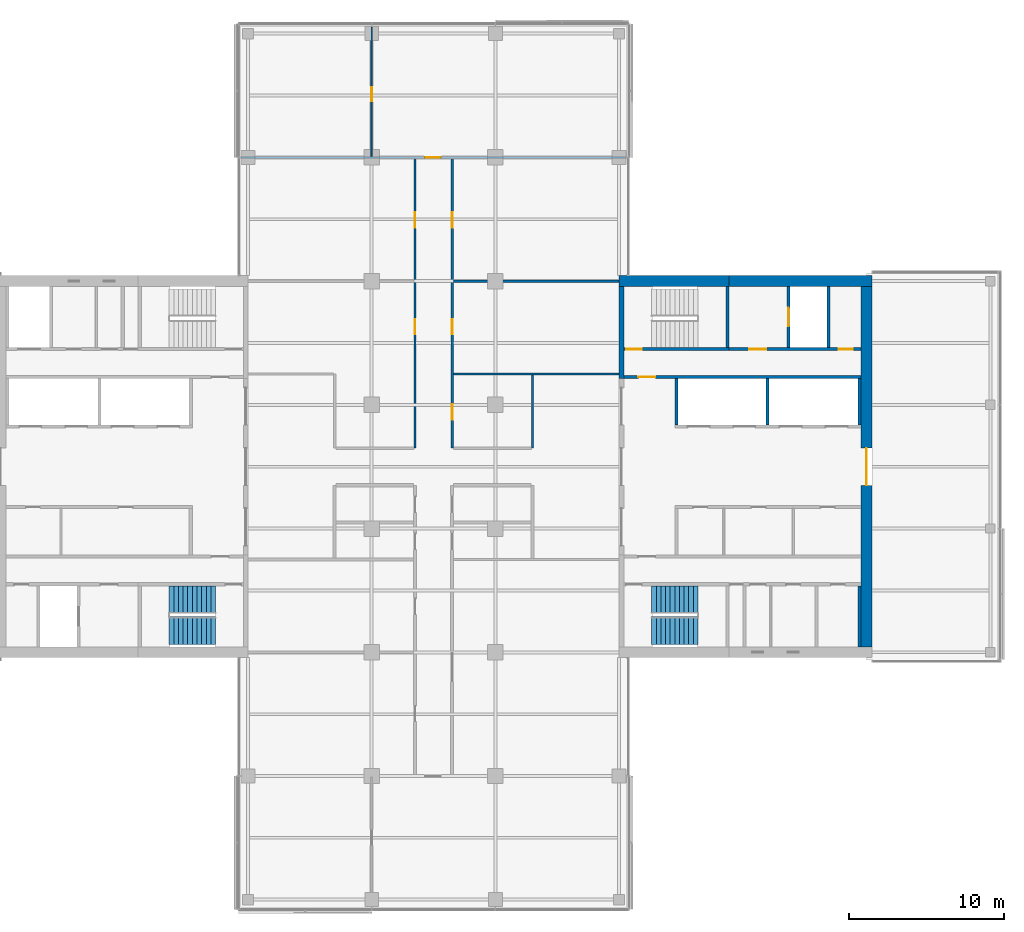
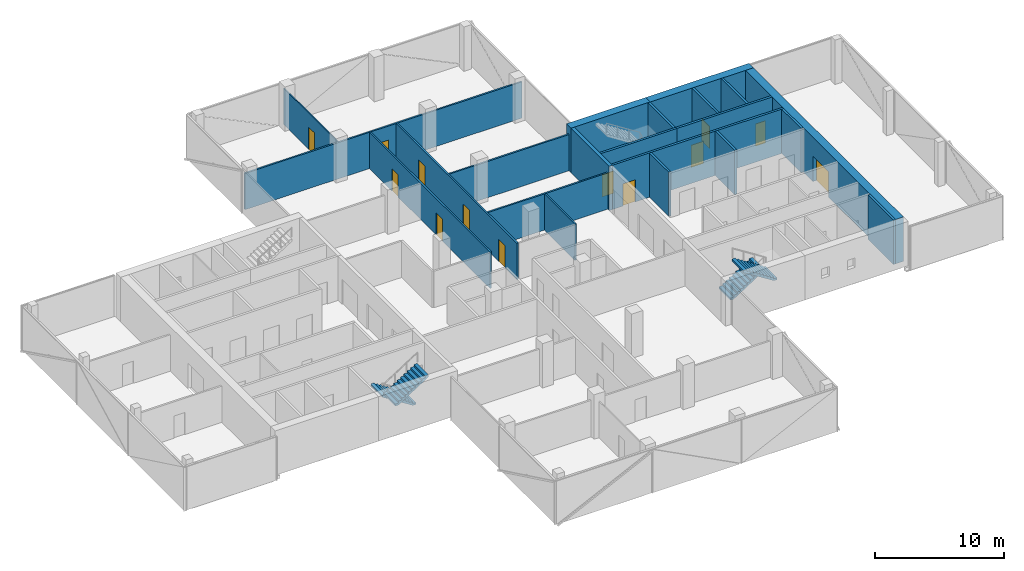
# One storey, part 16 of 22: 21 walls, 13 doors, 4 stair flights, 13 openings, 2 elements without a shape of their own.
"""IFC4 building model written with IfcOpenShell, lengths in metres."""

from ifc_helpers import new_model, si_unit, direction, frame, frame_2d, origin, place, context, subcontext, project, spatial, polyline, rectangle, outline, extrude, material, layer, layer_set, constituent, constituent_set, type_object, element, fill, aggregate, save


model = new_model("IFC4")

# Units and contexts
model_context = context("Model", 3, precision=1e-05, world=origin(), true_north=direction((0.0, 1.0)))
body_context = subcontext(model_context, "Body", "Model", "MODEL_VIEW")
ifc_project = project(units=[si_unit("LENGTHUNIT", "METRE"), si_unit("AREAUNIT", "SQUARE_METRE"), si_unit("VOLUMEUNIT", "CUBIC_METRE"), si_unit("PLANEANGLEUNIT", "RADIAN"), si_unit("MASSUNIT", "GRAM", prefix="KILO")], contexts=[model_context])

# Site, building, storey
site_placement = place(None, origin())
site = spatial("IfcSite", under=ifc_project, at=site_placement, CompositionType="ELEMENT")
building_placement = place(site_placement, origin())
building = spatial("IfcBuilding", under=site, at=building_placement, Name="Crosswind Convention Tower", CompositionType="ELEMENT")
storey_placement = place(building_placement, frame((0.0, 0.0, 154.699951171875)))
storey = spatial("IfcBuildingStorey", under=building, at=storey_placement, Name="L32", CompositionType="ELEMENT", Elevation=154.699951171875)

# Wall, opening, door
ifc_material_1 = material(Name="Concrete C60/75", Category="concrete")
ifc_layer_1 = layer(ifc_material_1, 0.699951171875)
ifc_layer_set_1 = layer_set([ifc_layer_1], Name="Concrete C60/75")
wall_type_1 = type_object("IfcWallType", Name="Concrete core wall 700", PredefinedType="SHEAR", material=ifc_layer_set_1)
wall_1_placement = place(storey_placement, frame((153.0, 88.35009765625, 0.0), z_axis=(0.0, 0.0, 1.0), x_axis=(0.0, 1.0, 0.0)))
wall_1 = element("IfcWall", 1, at=wall_1_placement, inside=storey, type_object=wall_type_1, Name="Wall O E L32", PredefinedType="SHEAR", context=body_context, shape_type="SweptSolid", body=[
    extrude(rectangle(XDim=23.2998046875, YDim=0.699951171875, at=frame_2d((11.64990234375, 0.0))), origin(), (0.0, 0.0, 1.0), 4.199951171875),
])
opening_1_placement = place(wall_1_placement, frame((10.449951171875, 0.0, 0.0)))
opening_1 = element("IfcOpeningElement", 2, at=opening_1_placement, cuts=wall_1, Name="Opening D100", PredefinedType="OPENING", context=body_context, shape_type="SweptSolid", body=[
    extrude(rectangle(XDim=2.39990234375, YDim=2.39990234375, at=frame_2d((1.199951171875, 1.199951171875))), frame((0.0, 0.35986328125, 0.0), z_axis=(0.0, -1.0, 0.0), x_axis=(1.0, 0.0, 0.0)), (0.0, 0.0, 1.0), 0.719970703125),
])
ifc_material_2 = material(Name="Steel fire door with glazed vision panels", Category="steel")
door_type_1 = type_object("IfcDoorType", Name="Fire-rated double door 2400x2400", OperationType="DOUBLE_DOOR_SINGLE_SWING", PredefinedType="DOOR", material=ifc_material_2)
door_1_placement = place(opening_1_placement, frame((2.39990234375, 0.0, 0.0), z_axis=(0.0, 0.0, 1.0), x_axis=(-1.0, 0.0, 0.0)))
door_1 = element("IfcDoor", 3, at=door_1_placement, inside=storey, type_object=door_type_1, Name="Lobby outer door L32", ObjectType="D100", OperationType="DOUBLE_DOOR_SINGLE_SWING", OverallHeight=2.39990234375, OverallWidth=2.39990234375, PredefinedType="DOOR", context=body_context, shape_type="SweptSolid", body=[
    extrude(rectangle(XDim=2.39990234375, YDim=2.39990234375, at=frame_2d((1.199951171875, 1.199951171875))), frame((0.0, 0.02490234375, 0.0), z_axis=(0.0, -1.0, 0.0), x_axis=(1.0, 0.0, 0.0)), (0.0, 0.0, 1.0), 0.050048828125),
])
fill(opening_1, door_1)

# Walls
ifc_material_3 = material(Name="Concrete C50/60", Category="concrete")
ifc_layer_2 = layer(ifc_material_3, 0.300048828125)
ifc_layer_set_2 = layer_set([ifc_layer_2], Name="Concrete C50/60")
wall_type_2 = type_object("IfcWallType", Name="Concrete inner core wall 300", PredefinedType="SHEAR", material=ifc_layer_set_2)
wall_2_placement = place(storey_placement, frame((137.14990234375, 105.699951171875, 0.0), z_axis=(0.0, 0.0, 1.0), x_axis=(0.0, 1.0, 0.0)))
element("IfcWall", 4, at=wall_2_placement, inside=storey, type_object=wall_type_2, Name="Wall EP E L32", PredefinedType="SHEAR", context=body_context, shape_type="SweptSolid", body=[
    extrude(rectangle(XDim=5.949951171875, YDim=0.300048828125, at=frame_2d((2.97509765625, 0.0))), origin(), (0.0, 0.0, 1.0), 4.199951171875),
])
ifc_layer_3 = layer(ifc_material_3, 0.199951171875)
ifc_layer_set_3 = layer_set([ifc_layer_3], Name="Concrete C50/60")
wall_type_3 = type_object("IfcWallType", Name="Concrete shaft and stair wall 200", PredefinedType="SHEAR", material=ifc_layer_set_3)
for number, where, z_axis, x_axis, name in (
    (5, (140.699951171875, 102.699951171875, 0.0), (0.0, 0.0, 1.0), (0.0, 1.0, 0.0), "Wall RPEND E L32"),
    (6, (146.60009765625, 102.699951171875, 0.0), (0.0, 0.0, 1.0), (0.0, 1.0, 0.0), "Wall RPSEP E L32"),
    (7, (152.550048828125, 102.699951171875, 0.0), (0.0, 0.0, 1.0), (0.0, 1.0, 0.0), "Wall RPEAST E L32"),
):
    element("IfcWall", number, at=place(storey_placement, frame(where, z_axis=z_axis, x_axis=x_axis)), inside=storey, type_object=wall_type_3, Name=name, PredefinedType="SHEAR", context=body_context, shape_type="SweptSolid", body=[
        extrude(rectangle(XDim=3.0, YDim=0.199951171875, at=frame_2d((1.5, 0.0))), origin(), (0.0, 0.0, 1.0), 4.199951171875),
    ])

# Wall, opening, door
wall_3_placement = place(storey_placement, frame((137.300048828125, 105.800048828125, 0.0), z_axis=(0.0, 0.0, 1.0), x_axis=(1.0, 0.0, 0.0)))
wall_3 = element("IfcWall", 8, at=wall_3_placement, inside=storey, type_object=wall_type_3, Name="Wall HP E L32", PredefinedType="SHEAR", context=body_context, shape_type="SweptSolid", body=[
    extrude(rectangle(XDim=15.349853515625, YDim=0.199951171875, at=frame_2d((7.6748046875, 0.0))), origin(), (0.0, 0.0, 1.0), 4.199951171875),
])
opening_2_placement = place(wall_3_placement, frame((0.949951171875, 0.0, 0.0)))
opening_2 = element("IfcOpeningElement", 9, at=opening_2_placement, cuts=wall_3, Name="Opening D104", PredefinedType="OPENING", context=body_context, shape_type="SweptSolid", body=[
    extrude(rectangle(XDim=1.10009765625, YDim=2.10009765625, at=frame_2d((0.550048828125, 1.050048828125))), frame((0.0, 0.10986328125, 0.0), z_axis=(0.0, -1.0, 0.0), x_axis=(1.0, 0.0, 0.0)), (0.0, 0.0, 1.0), 0.219970703125),
])
ifc_material_4 = material(Name="Steel fire door", Category="steel")
door_type_2 = type_object("IfcDoorType", Name="Fire-rated single door 1100x2100", OperationType="NOTDEFINED", PredefinedType="DOOR", material=ifc_material_4)
door_2_placement = place(opening_2_placement, origin())
door_2 = element("IfcDoor", 10, at=door_2_placement, inside=storey, type_object=door_type_2, Name="Corridor door L32", ObjectType="D104", OperationType="SINGLE_SWING_LEFT", OverallHeight=2.10009765625, OverallWidth=1.10009765625, PredefinedType="DOOR", context=body_context, shape_type="SweptSolid", body=[
    extrude(rectangle(XDim=1.10009765625, YDim=2.10009765625, at=frame_2d((0.550048828125, 1.050048828125))), frame((0.0, 0.02490234375, 0.0), z_axis=(0.0, -1.0, 0.0), x_axis=(1.0, 0.0, 0.0)), (0.0, 0.0, 1.0), 0.050048828125),
])
fill(opening_2, door_2)

# Wall
wall_4_placement = place(storey_placement, frame((144.0, 107.699951171875, 0.0), z_axis=(0.0, 0.0, 1.0), x_axis=(0.0, 1.0, 0.0)))
element("IfcWall", 11, at=wall_4_placement, inside=storey, type_object=wall_type_3, Name="Wall PSE E L32", PredefinedType="SHEAR", context=body_context, shape_type="SweptSolid", body=[
    extrude(rectangle(XDim=3.949951171875, YDim=0.199951171875, at=frame_2d((1.97509765625, 0.0))), origin(), (0.0, 0.0, 1.0), 4.199951171875),
])

# Wall, opening, door
wall_5_placement = place(storey_placement, frame((147.949951171875, 107.699951171875, 0.0), z_axis=(0.0, 0.0, 1.0), x_axis=(0.0, 1.0, 0.0)))
wall_5 = element("IfcWall", 12, at=wall_5_placement, inside=storey, type_object=wall_type_3, Name="Wall PFLW E L32", PredefinedType="SHEAR", context=body_context, shape_type="SweptSolid", body=[
    extrude(rectangle(XDim=3.949951171875, YDim=0.199951171875, at=frame_2d((1.97509765625, 0.0))), origin(), (0.0, 0.0, 1.0), 4.199951171875),
])
opening_3_placement = place(wall_5_placement, frame((1.375, 0.0, 0.0)))
opening_3 = element("IfcOpeningElement", 13, at=opening_3_placement, cuts=wall_5, Name="Opening LD1", PredefinedType="OPENING", context=body_context, shape_type="SweptSolid", body=[
    extrude(rectangle(XDim=1.199951171875, YDim=2.10009765625, at=frame_2d((0.60009765625, 1.050048828125))), frame((0.0, 0.10986328125, 0.0), z_axis=(0.0, -1.0, 0.0), x_axis=(1.0, 0.0, 0.0)), (0.0, 0.0, 1.0), 0.219970703125),
])
ifc_material_5 = material(Name="Stainless steel", Category="steel")
door_type_3 = type_object("IfcDoorType", Name="Lift landing door 1200x2100", OperationType="DOUBLE_DOOR_SLIDING", PredefinedType="DOOR", material=ifc_material_5)
door_3_placement = place(opening_3_placement, origin())
door_3 = element("IfcDoor", 14, at=door_3_placement, inside=storey, type_object=door_type_3, Name="Landing door FF1 L32", ObjectType="LD1", OperationType="DOUBLE_DOOR_SLIDING", OverallHeight=2.10009765625, OverallWidth=1.199951171875, PredefinedType="DOOR", context=body_context, shape_type="SweptSolid", body=[
    extrude(rectangle(XDim=1.199951171875, YDim=2.10009765625, at=frame_2d((0.60009765625, 1.050048828125))), frame((0.0, 0.02490234375, 0.0), z_axis=(0.0, -1.0, 0.0), x_axis=(1.0, 0.0, 0.0)), (0.0, 0.0, 1.0), 0.050048828125),
])
fill(opening_3, door_3)

# Wall
wall_6_placement = place(storey_placement, frame((150.550048828125, 107.699951171875, 0.0), z_axis=(0.0, 0.0, 1.0), x_axis=(0.0, 1.0, 0.0)))
element("IfcWall", 15, at=wall_6_placement, inside=storey, type_object=wall_type_3, Name="Wall PFSE E L32", PredefinedType="SHEAR", context=body_context, shape_type="SweptSolid", body=[
    extrude(rectangle(XDim=3.949951171875, YDim=0.199951171875, at=frame_2d((1.97509765625, 0.0))), origin(), (0.0, 0.0, 1.0), 4.199951171875),
])

# Wall, opening, door
wall_7_placement = place(storey_placement, frame((137.300048828125, 107.60009765625, 0.0), z_axis=(0.0, 0.0, 1.0), x_axis=(1.0, 0.0, 0.0)))
wall_7 = element("IfcWall", 16, at=wall_7_placement, inside=storey, type_object=wall_type_3, Name="Wall PCW E L32", PredefinedType="SHEAR", context=body_context, shape_type="SweptSolid", body=[
    extrude(rectangle(XDim=6.800048828125, YDim=0.199951171875, at=frame_2d((3.39990234375, 0.0))), origin(), (0.0, 0.0, 1.0), 4.199951171875),
])
opening_4_placement = place(wall_7_placement, frame((0.14990234375, 0.0, 0.0)))
opening_4 = element("IfcOpeningElement", 17, at=opening_4_placement, cuts=wall_7, Name="Opening D103", PredefinedType="OPENING", context=body_context, shape_type="SweptSolid", body=[
    extrude(rectangle(XDim=1.0, YDim=2.10009765625, at=frame_2d((0.5, 1.050048828125))), frame((0.0, 0.10986328125, 0.0), z_axis=(0.0, -1.0, 0.0), x_axis=(1.0, 0.0, 0.0)), (0.0, 0.0, 1.0), 0.219970703125),
])
door_type_4 = type_object("IfcDoorType", Name="Fire-rated single door 1000x2100", OperationType="NOTDEFINED", PredefinedType="DOOR", material=ifc_material_4)
door_4_placement = place(opening_4_placement, origin())
door_4 = element("IfcDoor", 18, at=door_4_placement, inside=storey, type_object=door_type_4, Name="Stair ST1 door L32", ObjectType="D103", OperationType="SINGLE_SWING_LEFT", OverallHeight=2.10009765625, OverallWidth=1.0, PredefinedType="DOOR", context=body_context, shape_type="SweptSolid", body=[
    extrude(rectangle(XDim=1.0, YDim=2.10009765625, at=frame_2d((0.5, 1.050048828125))), frame((0.0, 0.02490234375, 0.0), z_axis=(0.0, -1.0, 0.0), x_axis=(1.0, 0.0, 0.0)), (0.0, 0.0, 1.0), 0.050048828125),
])
fill(opening_4, door_4)

# Wall, openings, doors
wall_8_placement = place(storey_placement, frame((144.10009765625, 107.60009765625, 0.0), z_axis=(0.0, 0.0, 1.0), x_axis=(1.0, 0.0, 0.0)))
wall_8 = element("IfcWall", 19, at=wall_8_placement, inside=storey, type_object=wall_type_3, Name="Wall PCX E L32", PredefinedType="SHEAR", context=body_context, shape_type="SweptSolid", body=[
    extrude(rectangle(XDim=8.5498046875, YDim=0.199951171875, at=frame_2d((4.27490234375, 0.0))), origin(), (0.0, 0.0, 1.0), 4.199951171875),
])
opening_5_placement = place(wall_8_placement, frame((1.324951171875, 0.0, 0.0)))
opening_5 = element("IfcOpeningElement", 20, at=opening_5_placement, cuts=wall_8, Name="Opening D104", PredefinedType="OPENING", context=body_context, shape_type="SweptSolid", body=[
    extrude(rectangle(XDim=1.10009765625, YDim=2.10009765625, at=frame_2d((0.550048828125, 1.050048828125))), frame((0.0, 0.10986328125, 0.0), z_axis=(0.0, -1.0, 0.0), x_axis=(1.0, 0.0, 0.0)), (0.0, 0.0, 1.0), 0.219970703125),
])
opening_6_placement = place(wall_8_placement, frame((7.10009765625, 0.0, 0.0)))
opening_6 = element("IfcOpeningElement", 21, at=opening_6_placement, cuts=wall_8, Name="Opening D106", PredefinedType="OPENING", context=body_context, shape_type="SweptSolid", body=[
    extrude(rectangle(XDim=0.89990234375, YDim=2.10009765625, at=frame_2d((0.449951171875, 1.050048828125))), frame((0.0, 0.10986328125, 0.0), z_axis=(0.0, -1.0, 0.0), x_axis=(1.0, 0.0, 0.0)), (0.0, 0.0, 1.0), 0.219970703125),
])
door_5_placement = place(opening_5_placement, origin())
door_5 = element("IfcDoor", 22, at=door_5_placement, inside=storey, type_object=door_type_2, Name="Fire-fighting lobby FF1 door L32", ObjectType="D104", OperationType="SINGLE_SWING_RIGHT", OverallHeight=2.10009765625, OverallWidth=1.10009765625, PredefinedType="DOOR", context=body_context, shape_type="SweptSolid", body=[
    extrude(rectangle(XDim=1.10009765625, YDim=2.10009765625, at=frame_2d((0.550048828125, 1.050048828125))), frame((0.0, 0.02490234375, 0.0), z_axis=(0.0, -1.0, 0.0), x_axis=(1.0, 0.0, 0.0)), (0.0, 0.0, 1.0), 0.050048828125),
])
fill(opening_5, door_5)
ifc_material_6 = material(Name="Timber door", Category="wood")
door_type_5 = type_object("IfcDoorType", Name="Single leaf door 900x2100", OperationType="NOTDEFINED", PredefinedType="DOOR", material=ifc_material_6)
door_6_placement = place(opening_6_placement, origin())
door_6 = element("IfcDoor", 23, at=door_6_placement, inside=storey, type_object=door_type_5, Name="Door to comms room L32", ObjectType="D106", OperationType="SINGLE_SWING_RIGHT", OverallHeight=2.10009765625, OverallWidth=0.89990234375, PredefinedType="DOOR", context=body_context, shape_type="SweptSolid", body=[
    extrude(rectangle(XDim=0.89990234375, YDim=2.10009765625, at=frame_2d((0.449951171875, 1.050048828125))), frame((0.0, 0.02490234375, 0.0), z_axis=(0.0, -1.0, 0.0), x_axis=(1.0, 0.0, 0.0)), (0.0, 0.0, 1.0), 0.050048828125),
])
fill(opening_6, door_6)

# Wall
wall_9_placement = place(storey_placement, frame((152.550048828125, 88.35009765625, 0.0), z_axis=(0.0, 0.0, 1.0), x_axis=(0.0, 1.0, 0.0)))
element("IfcWall", 24, at=wall_9_placement, inside=storey, type_object=wall_type_3, Name="Wall MFSE E L32", PredefinedType="SHEAR", context=body_context, shape_type="SweptSolid", body=[
    extrude(rectangle(XDim=3.949951171875, YDim=0.199951171875, at=frame_2d((1.97509765625, 0.0))), origin(), (0.0, 0.0, 1.0), 4.199951171875),
])

# Wall, opening, door
ifc_material_7 = material(Name="Plasterboard partition", Category="gypsum")
ifc_layer_4 = layer(ifc_material_7, 0.10009765625)
ifc_layer_set_4 = layer_set([ifc_layer_4], Name="PARTITION 100 METAL STUD")
wall_type_4 = type_object("IfcWallType", Name="PARTITION 100 METAL STUD", PredefinedType="PARTITIONING", material=ifc_layer_set_4)
wall_10_placement = place(storey_placement, frame((121.0, 120.074951171875, 0.0), z_axis=(0.0, 0.0, 1.0), x_axis=(0.0, 1.0, 0.0)))
wall_10 = element("IfcWall", 25, at=wall_10_placement, inside=storey, type_object=wall_type_4, Name="Partition wall WT40", PredefinedType="PARTITIONING", context=body_context, shape_type="SweptSolid", body=[
    extrude(rectangle(XDim=8.344970703125, YDim=0.10009765625, at=frame_2d((4.17236328125, 0.0))), origin(), (0.0, 0.0, 1.0), 3.4365234375),
])
opening_7_placement = place(wall_10_placement, frame((3.550048828125, 0.0, 0.0)))
opening_7 = element("IfcOpeningElement", 26, at=opening_7_placement, cuts=wall_10, Name="Opening L32-63", PredefinedType="OPENING", context=body_context, shape_type="SweptSolid", body=[
    extrude(rectangle(XDim=0.89990234375, YDim=2.10009765625, at=frame_2d((0.449951171875, 1.050048828125))), frame((0.0, 0.06005859375, 0.0), z_axis=(0.0, -1.0, 0.0), x_axis=(1.0, 0.0, 0.0)), (0.0, 0.0, 1.0), 0.1201171875),
])
door_type_6 = type_object("IfcDoorType", Name="INTERNAL DOOR 900X2100", OperationType="NOTDEFINED", PredefinedType="DOOR", material=ifc_material_6)
door_7_placement = place(opening_7_placement, origin())
door_7 = element("IfcDoor", 27, at=door_7_placement, inside=storey, type_object=door_type_6, Name="Door L32-63", ObjectType="D40", OperationType="SINGLE_SWING_RIGHT", OverallHeight=2.10009765625, OverallWidth=0.89990234375, PredefinedType="DOOR", context=body_context, shape_type="SweptSolid", body=[
    extrude(rectangle(XDim=0.89990234375, YDim=2.10009765625, at=frame_2d((0.449951171875, 1.050048828125))), frame((0.0, 0.02490234375, 0.0), z_axis=(0.0, -1.0, 0.0), x_axis=(1.0, 0.0, 0.0)), (0.0, 0.0, 1.0), 0.050048828125),
])
fill(opening_7, door_7)

# Wall, openings, doors
ifc_material_8 = material(Name="Fire-board partition with mineral wool", Category="gypsum")
ifc_layer_5 = layer(ifc_material_8, 0.14990234375)
ifc_layer_set_5 = layer_set([ifc_layer_5], Name="TENANCY WALL 150 TWO-HOUR BOARD")
wall_type_5 = type_object("IfcWallType", Name="TENANCY WALL 150 TWO-HOUR BOARD", PredefinedType="PARTITIONING", material=ifc_layer_set_5)
wall_11_placement = place(storey_placement, frame((123.800048828125, 101.199951171875, 0.0), z_axis=(0.0, 0.0, 1.0), x_axis=(0.0, 1.0, 0.0)))
wall_11 = element("IfcWall", 28, at=wall_11_placement, inside=storey, type_object=wall_type_5, Name="Tenancy wall WT41", PredefinedType="PARTITIONING", context=body_context, shape_type="SweptSolid", body=[
    extrude(rectangle(XDim=18.72509765625, YDim=0.14990234375, at=frame_2d((9.362548828125, 0.0))), origin(), (0.0, 0.0, 1.0), 3.4365234375),
])
opening_8_placement = place(wall_11_placement, frame((7.35009765625, 0.0, 0.0)))
opening_8 = element("IfcOpeningElement", 29, at=opening_8_placement, cuts=wall_11, Name="Opening L32-56", PredefinedType="OPENING", context=body_context, shape_type="SweptSolid", body=[
    extrude(rectangle(XDim=1.0, YDim=2.10009765625, at=frame_2d((0.5, 1.050048828125))), frame((0.0, 0.0849609375, 0.0), z_axis=(0.0, -1.0, 0.0), x_axis=(1.0, 0.0, 0.0)), (0.0, 0.0, 1.0), 0.169921875),
])
opening_9_placement = place(wall_11_placement, frame((14.25, 0.0, 0.0)))
opening_9 = element("IfcOpeningElement", 30, at=opening_9_placement, cuts=wall_11, Name="Opening L32-57", PredefinedType="OPENING", context=body_context, shape_type="SweptSolid", body=[
    extrude(rectangle(XDim=1.0, YDim=2.10009765625, at=frame_2d((0.5, 1.050048828125))), frame((0.0, 0.0849609375, 0.0), z_axis=(0.0, -1.0, 0.0), x_axis=(1.0, 0.0, 0.0)), (0.0, 0.0, 1.0), 0.169921875),
])
ifc_material_9 = material(Name="Timber fire door", Category="wood")
door_type_7 = type_object("IfcDoorType", Name="TENANCY ENTRANCE DOOR 1000X2100 FD30S", OperationType="NOTDEFINED", PredefinedType="DOOR", material=ifc_material_9)
door_8_placement = place(opening_8_placement, origin())
door_8 = element("IfcDoor", 31, at=door_8_placement, inside=storey, type_object=door_type_7, Name="Door L32-56", ObjectType="D41", OperationType="SINGLE_SWING_RIGHT", OverallHeight=2.10009765625, OverallWidth=1.0, PredefinedType="DOOR", context=body_context, shape_type="SweptSolid", body=[
    extrude(rectangle(XDim=1.0, YDim=2.10009765625, at=frame_2d((0.5, 1.050048828125))), frame((0.0, 0.02490234375, 0.0), z_axis=(0.0, -1.0, 0.0), x_axis=(1.0, 0.0, 0.0)), (0.0, 0.0, 1.0), 0.050048828125),
])
fill(opening_8, door_8)
door_9_placement = place(opening_9_placement, origin())
door_9 = element("IfcDoor", 32, at=door_9_placement, inside=storey, type_object=door_type_7, Name="Door L32-57", ObjectType="D41", OperationType="SINGLE_SWING_LEFT", OverallHeight=2.10009765625, OverallWidth=1.0, PredefinedType="DOOR", context=body_context, shape_type="SweptSolid", body=[
    extrude(rectangle(XDim=1.0, YDim=2.10009765625, at=frame_2d((0.5, 1.050048828125))), frame((0.0, 0.02490234375, 0.0), z_axis=(0.0, -1.0, 0.0), x_axis=(1.0, 0.0, 0.0)), (0.0, 0.0, 1.0), 0.050048828125),
])
fill(opening_9, door_9)

wall_12_placement = place(storey_placement, frame((126.199951171875, 101.199951171875, 0.0), z_axis=(0.0, 0.0, 1.0), x_axis=(0.0, 1.0, 0.0)))
wall_12 = element("IfcWall", 33, at=wall_12_placement, inside=storey, type_object=wall_type_5, Name="Tenancy wall WT41", PredefinedType="PARTITIONING", context=body_context, shape_type="SweptSolid", body=[
    extrude(rectangle(XDim=18.72509765625, YDim=0.14990234375, at=frame_2d((9.362548828125, 0.0))), origin(), (0.0, 0.0, 1.0), 3.4365234375),
])
opening_10_placement = place(wall_12_placement, frame((1.85009765625, 0.0, 0.0)))
opening_10 = element("IfcOpeningElement", 34, at=opening_10_placement, cuts=wall_12, Name="Opening L32-50", PredefinedType="OPENING", context=body_context, shape_type="SweptSolid", body=[
    extrude(rectangle(XDim=1.0, YDim=2.10009765625, at=frame_2d((0.5, 1.050048828125))), frame((0.0, 0.0849609375, 0.0), z_axis=(0.0, -1.0, 0.0), x_axis=(1.0, 0.0, 0.0)), (0.0, 0.0, 1.0), 0.169921875),
])
opening_11_placement = place(wall_12_placement, frame((7.35009765625, 0.0, 0.0)))
opening_11 = element("IfcOpeningElement", 35, at=opening_11_placement, cuts=wall_12, Name="Opening L32-51", PredefinedType="OPENING", context=body_context, shape_type="SweptSolid", body=[
    extrude(rectangle(XDim=1.0, YDim=2.10009765625, at=frame_2d((0.5, 1.050048828125))), frame((0.0, 0.0849609375, 0.0), z_axis=(0.0, -1.0, 0.0), x_axis=(1.0, 0.0, 0.0)), (0.0, 0.0, 1.0), 0.169921875),
])
opening_12_placement = place(wall_12_placement, frame((14.25, 0.0, 0.0)))
opening_12 = element("IfcOpeningElement", 36, at=opening_12_placement, cuts=wall_12, Name="Opening L32-52", PredefinedType="OPENING", context=body_context, shape_type="SweptSolid", body=[
    extrude(rectangle(XDim=1.0, YDim=2.10009765625, at=frame_2d((0.5, 1.050048828125))), frame((0.0, 0.0849609375, 0.0), z_axis=(0.0, -1.0, 0.0), x_axis=(1.0, 0.0, 0.0)), (0.0, 0.0, 1.0), 0.169921875),
])
door_10_placement = place(opening_10_placement, frame((1.0, 0.0, 0.0), z_axis=(0.0, 0.0, 1.0), x_axis=(-1.0, 0.0, 0.0)))
door_10 = element("IfcDoor", 37, at=door_10_placement, inside=storey, type_object=door_type_7, Name="Door L32-50", ObjectType="D41", OperationType="SINGLE_SWING_RIGHT", OverallHeight=2.10009765625, OverallWidth=1.0, PredefinedType="DOOR", context=body_context, shape_type="SweptSolid", body=[
    extrude(rectangle(XDim=1.0, YDim=2.10009765625, at=frame_2d((0.5, 1.050048828125))), frame((0.0, 0.02490234375, 0.0), z_axis=(0.0, -1.0, 0.0), x_axis=(1.0, 0.0, 0.0)), (0.0, 0.0, 1.0), 0.050048828125),
])
fill(opening_10, door_10)
door_11_placement = place(opening_11_placement, frame((1.0, 0.0, 0.0), z_axis=(0.0, 0.0, 1.0), x_axis=(-1.0, 0.0, 0.0)))
door_11 = element("IfcDoor", 38, at=door_11_placement, inside=storey, type_object=door_type_7, Name="Door L32-51", ObjectType="D41", OperationType="SINGLE_SWING_LEFT", OverallHeight=2.10009765625, OverallWidth=1.0, PredefinedType="DOOR", context=body_context, shape_type="SweptSolid", body=[
    extrude(rectangle(XDim=1.0, YDim=2.10009765625, at=frame_2d((0.5, 1.050048828125))), frame((0.0, 0.02490234375, 0.0), z_axis=(0.0, -1.0, 0.0), x_axis=(1.0, 0.0, 0.0)), (0.0, 0.0, 1.0), 0.050048828125),
])
fill(opening_11, door_11)
door_12_placement = place(opening_12_placement, frame((1.0, 0.0, 0.0), z_axis=(0.0, 0.0, 1.0), x_axis=(-1.0, 0.0, 0.0)))
door_12 = element("IfcDoor", 39, at=door_12_placement, inside=storey, type_object=door_type_7, Name="Door L32-52", ObjectType="D41", OperationType="SINGLE_SWING_RIGHT", OverallHeight=2.10009765625, OverallWidth=1.0, PredefinedType="DOOR", context=body_context, shape_type="SweptSolid", body=[
    extrude(rectangle(XDim=1.0, YDim=2.10009765625, at=frame_2d((0.5, 1.050048828125))), frame((0.0, 0.02490234375, 0.0), z_axis=(0.0, -1.0, 0.0), x_axis=(1.0, 0.0, 0.0)), (0.0, 0.0, 1.0), 0.050048828125),
])
fill(opening_12, door_12)

# Walls
wall_13_placement = place(storey_placement, frame((131.39990234375, 101.199951171875, 0.0), z_axis=(0.0, 0.0, 1.0), x_axis=(0.0, 1.0, 0.0)))
element("IfcWall", 40, at=wall_13_placement, inside=storey, type_object=wall_type_5, Name="Tenancy wall WT41", PredefinedType="PARTITIONING", context=body_context, shape_type="SweptSolid", body=[
    extrude(rectangle(XDim=4.72509765625, YDim=0.14990234375, at=frame_2d((2.362548828125, 0.0))), origin(), (0.0, 0.0, 1.0), 3.4365234375),
])
for number, where, z_axis, x_axis, name in (
    (41, (126.27490234375, 106.0, 0.0), (0.0, 0.0, 1.0), (1.0, 0.0, 0.0), "Tenancy wall WT41"),
    (42, (126.27490234375, 112.0, 0.0), (0.0, 0.0, 1.0), (1.0, 0.0, 0.0), "Tenancy wall WT41"),
):
    element("IfcWall", number, at=place(storey_placement, frame(where, z_axis=z_axis, x_axis=x_axis)), inside=storey, type_object=wall_type_5, Name=name, PredefinedType="PARTITIONING", context=body_context, shape_type="SweptSolid", body=[
        extrude(rectangle(XDim=10.72509765625, YDim=0.14990234375, at=frame_2d((5.362548828125, 0.0))), origin(), (0.0, 0.0, 1.0), 3.4365234375),
    ])

# Wall, opening, door
wall_14_placement = place(storey_placement, frame((112.580078125, 120.0, 0.0), z_axis=(0.0, 0.0, 1.0), x_axis=(1.0, 0.0, 0.0)))
wall_14 = element("IfcWall", 43, at=wall_14_placement, inside=storey, type_object=wall_type_5, Name="Tenancy wall WT41", PredefinedType="PARTITIONING", context=body_context, shape_type="SweptSolid", body=[
    extrude(rectangle(XDim=24.83984375, YDim=0.14990234375, at=frame_2d((12.419921875, 0.0))), origin(), (0.0, 0.0, 1.0), 3.4365234375),
])
opening_13_placement = place(wall_14_placement, frame((11.8701171875, 0.0, 0.0)))
opening_13 = element("IfcOpeningElement", 44, at=opening_13_placement, cuts=wall_14, Name="Opening L32-62", PredefinedType="OPENING", context=body_context, shape_type="SweptSolid", body=[
    extrude(rectangle(XDim=1.0, YDim=2.10009765625, at=frame_2d((0.5, 1.050048828125))), frame((0.0, 0.0849609375, 0.0), z_axis=(0.0, -1.0, 0.0), x_axis=(1.0, 0.0, 0.0)), (0.0, 0.0, 1.0), 0.169921875),
])
door_13_placement = place(opening_13_placement, origin())
door_13 = element("IfcDoor", 45, at=door_13_placement, inside=storey, type_object=door_type_7, Name="Door L32-62", ObjectType="D41", OperationType="SINGLE_SWING_LEFT", OverallHeight=2.10009765625, OverallWidth=1.0, PredefinedType="DOOR", context=body_context, shape_type="SweptSolid", body=[
    extrude(rectangle(XDim=1.0, YDim=2.10009765625, at=frame_2d((0.5, 1.050048828125))), frame((0.0, 0.02490234375, 0.0), z_axis=(0.0, -1.0, 0.0), x_axis=(1.0, 0.0, 0.0)), (0.0, 0.0, 1.0), 0.050048828125),
])
fill(opening_13, door_13)

# Walls
ifc_constituent_1 = constituent(ifc_material_1, Name="Structure")
ifc_material_10 = material(Name="Terracotta rainscreen", Category="ceramic")
ifc_constituent_2 = constituent(ifc_material_10, Name="Facing")
ifc_constituent_set = constituent_set(constituents=[ifc_constituent_1, ifc_constituent_2], Name="Concrete C60/75, Terracotta rainscreen")
wall_type_6 = type_object("IfcWallType", Name="Terracotta rainscreen on concrete core wall 700", PredefinedType="SHEAR", material=ifc_constituent_set)
wall_15_placement = place(storey_placement, frame((137.0, 112.0, 0.0), z_axis=(0.0, 0.0, 1.0), x_axis=(1.0, 0.0, 0.0)))
element("IfcWall", 46, at=wall_15_placement, inside=storey, type_object=wall_type_6, Name="Wall N1 E L32", PredefinedType="SHEAR", context=body_context, shape_type="SweptSolid", body=[
    extrude(rectangle(XDim=7.10009765625, YDim=0.699951171875, at=frame_2d((3.550048828125, 0.0))), origin(), (0.0, 0.0, 1.0), 4.199951171875),
])
wall_16_placement = place(storey_placement, frame((144.10009765625, 112.0, 0.0), z_axis=(0.0, 0.0, 1.0), x_axis=(1.0, 0.0, 0.0)))
element("IfcWall", 47, at=wall_16_placement, inside=storey, type_object=wall_type_6, Name="Wall N2 E L32", PredefinedType="SHEAR", context=body_context, shape_type="SweptSolid", body=[
    extrude(rectangle(XDim=9.25, YDim=0.699951171875, at=frame_2d((4.625, 0.0))), origin(), (0.0, 0.0, 1.0), 4.199951171875),
])

# Stair, stair flights
ifc_material_11 = material(Name="Concrete C40/50", Category="concrete")
stair_type = type_object("IfcStairType", Name="Exit stair 1800 wide, 2 flights of 11 risers", PredefinedType="HALF_TURN_STAIR", material=ifc_material_11)
stair_1_placement = place(storey_placement, origin())
stair_1 = element("IfcStair", 48, at=stair_1_placement, inside=storey, type_object=stair_type, Name="Exit stair ST2 L32", ObjectType="ST5", PredefinedType="HALF_TURN_STAIR")
stair_flight_type = type_object("IfcStairFlightType", Name="Stair flight 1800 wide, 11 risers (SF4)", PredefinedType="STRAIGHT", material=ifc_material_11)
stair_flight_1_placement = place(storey_placement, frame((139.10009765625, 91.39990234375, 0.0), z_axis=(0.0, 0.0, 1.0), x_axis=(1.0, 0.0, 0.0)))
stair_flight_1 = element("IfcStairFlight", 49, at=stair_flight_1_placement, type_object=stair_flight_type, Name="ST2 flight 1", NumberOfRisers=11, NumberOfTreads=10, PredefinedType="STRAIGHT", RiserHeight=0.190909091, TreadLength=0.3, context=body_context, shape_type="SweptSolid", body=[
    extrude(outline(polyline([(0.0, 0.0), (0.0, 0.19091796875), (0.300048828125, 0.19091796875), (0.300048828125, 0.3818359375), (0.60009765625, 0.3818359375), (0.60009765625, 0.57275390625), (0.89990234375, 0.57275390625), (0.89990234375, 0.763671875), (1.199951171875, 0.763671875), (1.199951171875, 0.95458984375), (1.5, 0.95458984375), (1.5, 1.1455078125), (1.800048828125, 1.1455078125), (1.800048828125, 1.33642578125), (2.10009765625, 1.33642578125), (2.10009765625, 1.52734375), (2.39990234375, 1.52734375), (2.39990234375, 1.71826171875), (2.699951171875, 1.71826171875), (2.699951171875, 1.9091796875), (3.0, 1.9091796875), (3.0, 2.10009765625), (3.0, 1.7314453125), (0.279296875, 0.0), (0.0, 0.0)])), frame((0.0, 0.89990234375, 0.0), z_axis=(0.0, -1.0, 0.0), x_axis=(1.0, 0.0, 0.0)), (0.0, 0.0, 1.0), 1.800048828125),
])
stair_flight_2_placement = place(storey_placement, frame((142.10009765625, 89.39990234375, 2.10009765625), z_axis=(0.0, 0.0, 1.0), x_axis=(-1.0, 0.0, 0.0)))
stair_flight_2 = element("IfcStairFlight", 50, at=stair_flight_2_placement, type_object=stair_flight_type, Name="ST2 flight 2", NumberOfRisers=11, NumberOfTreads=10, PredefinedType="STRAIGHT", RiserHeight=0.190909091, TreadLength=0.3, context=body_context, shape_type="SweptSolid", body=[
    extrude(outline(polyline([(0.0, 0.0), (0.0, 0.19091796875), (0.300048828125, 0.19091796875), (0.300048828125, 0.3818359375), (0.60009765625, 0.3818359375), (0.60009765625, 0.57275390625), (0.89990234375, 0.57275390625), (0.89990234375, 0.763671875), (1.199951171875, 0.763671875), (1.199951171875, 0.95458984375), (1.5, 0.95458984375), (1.5, 1.1455078125), (1.800048828125, 1.1455078125), (1.800048828125, 1.33642578125), (2.10009765625, 1.33642578125), (2.10009765625, 1.52734375), (2.39990234375, 1.52734375), (2.39990234375, 1.71826171875), (2.699951171875, 1.71826171875), (2.699951171875, 1.9091796875), (3.0, 1.9091796875), (3.0, 2.10009765625), (3.0, 1.7314453125), (0.279296875, 0.0), (0.0, 0.0)])), frame((0.0, 0.89990234375, 0.0), z_axis=(0.0, -1.0, 0.0), x_axis=(1.0, 0.0, 0.0)), (0.0, 0.0, 1.0), 1.800048828125),
])
aggregate(stair_1, [stair_flight_1, stair_flight_2])

stair_2_placement = place(storey_placement, origin())
stair_2 = element("IfcStair", 51, at=stair_2_placement, inside=storey, type_object=stair_type, Name="Exit stair ST3 L32", ObjectType="ST5", PredefinedType="HALF_TURN_STAIR")
stair_flight_3_placement = place(storey_placement, frame((110.89990234375, 91.39990234375, 0.0), z_axis=(0.0, 0.0, 1.0), x_axis=(-1.0, 0.0, 0.0)))
stair_flight_3 = element("IfcStairFlight", 52, at=stair_flight_3_placement, type_object=stair_flight_type, Name="ST3 flight 1", NumberOfRisers=11, NumberOfTreads=10, PredefinedType="STRAIGHT", RiserHeight=0.190909091, TreadLength=0.3, context=body_context, shape_type="SweptSolid", body=[
    extrude(outline(polyline([(0.0, 0.0), (0.0, 0.19091796875), (0.300048828125, 0.19091796875), (0.300048828125, 0.3818359375), (0.60009765625, 0.3818359375), (0.60009765625, 0.57275390625), (0.89990234375, 0.57275390625), (0.89990234375, 0.763671875), (1.199951171875, 0.763671875), (1.199951171875, 0.95458984375), (1.5, 0.95458984375), (1.5, 1.1455078125), (1.800048828125, 1.1455078125), (1.800048828125, 1.33642578125), (2.10009765625, 1.33642578125), (2.10009765625, 1.52734375), (2.39990234375, 1.52734375), (2.39990234375, 1.71826171875), (2.699951171875, 1.71826171875), (2.699951171875, 1.9091796875), (3.0, 1.9091796875), (3.0, 2.10009765625), (3.0, 1.7314453125), (0.279296875, 0.0), (0.0, 0.0)])), frame((0.0, 0.89990234375, 0.0), z_axis=(0.0, -1.0, 0.0), x_axis=(1.0, 0.0, 0.0)), (0.0, 0.0, 1.0), 1.800048828125),
])
stair_flight_4_placement = place(storey_placement, frame((107.89990234375, 89.39990234375, 2.10009765625), z_axis=(0.0, 0.0, 1.0), x_axis=(1.0, 0.0, 0.0)))
stair_flight_4 = element("IfcStairFlight", 53, at=stair_flight_4_placement, type_object=stair_flight_type, Name="ST3 flight 2", NumberOfRisers=11, NumberOfTreads=10, PredefinedType="STRAIGHT", RiserHeight=0.190909091, TreadLength=0.3, context=body_context, shape_type="SweptSolid", body=[
    extrude(outline(polyline([(0.0, 0.0), (0.0, 0.19091796875), (0.300048828125, 0.19091796875), (0.300048828125, 0.3818359375), (0.60009765625, 0.3818359375), (0.60009765625, 0.57275390625), (0.89990234375, 0.57275390625), (0.89990234375, 0.763671875), (1.199951171875, 0.763671875), (1.199951171875, 0.95458984375), (1.5, 0.95458984375), (1.5, 1.1455078125), (1.800048828125, 1.1455078125), (1.800048828125, 1.33642578125), (2.10009765625, 1.33642578125), (2.10009765625, 1.52734375), (2.39990234375, 1.52734375), (2.39990234375, 1.71826171875), (2.699951171875, 1.71826171875), (2.699951171875, 1.9091796875), (3.0, 1.9091796875), (3.0, 2.10009765625), (3.0, 1.7314453125), (0.279296875, 0.0), (0.0, 0.0)])), frame((0.0, 0.89990234375, 0.0), z_axis=(0.0, -1.0, 0.0), x_axis=(1.0, 0.0, 0.0)), (0.0, 0.0, 1.0), 1.800048828125),
])
aggregate(stair_2, [stair_flight_3, stair_flight_4])

save(model, "model.ifc")
